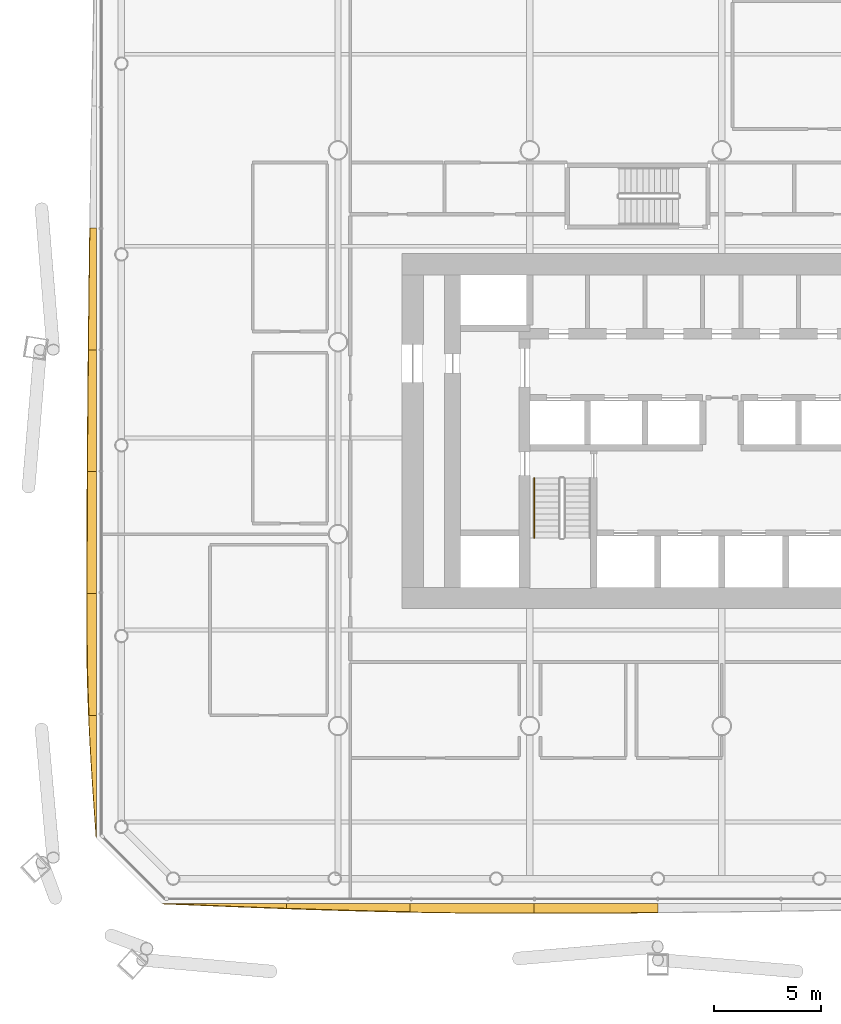
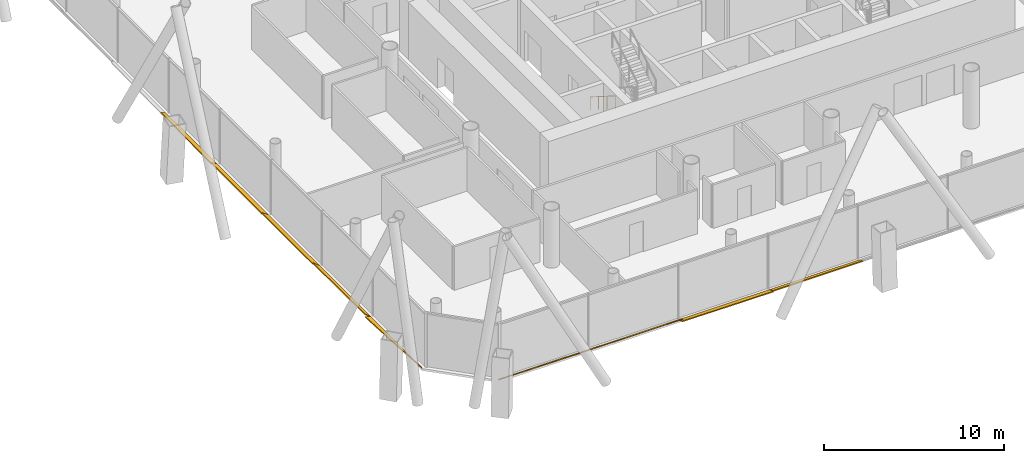
# One storey, part 17 of 21: 9 shading devices, 1 railing.
"""IFC4 building model written with IfcOpenShell, lengths in metres."""

from ifc_helpers import new_model, si_unit, direction, frame, origin, origin_2d, place, context, subcontext, project, spatial, polyline, circle, outline, extrude, material, layer, layer_set, type_object, element, save


model = new_model("IFC4")

# Units and contexts
model_context = context("Model", 3, precision=1e-05, world=origin(), true_north=direction((0.0, 1.0)))
body_context = subcontext(model_context, "Body", "Model", "MODEL_VIEW")
ifc_project = project(units=[si_unit("LENGTHUNIT", "METRE"), si_unit("AREAUNIT", "SQUARE_METRE"), si_unit("VOLUMEUNIT", "CUBIC_METRE"), si_unit("PLANEANGLEUNIT", "RADIAN"), si_unit("MASSUNIT", "GRAM", prefix="KILO")], contexts=[model_context])

# Site, building, storey
site_placement = place(None, origin())
site = spatial("IfcSite", under=ifc_project, at=site_placement, CompositionType="ELEMENT")
building_placement = place(site_placement, origin())
building = spatial("IfcBuilding", under=site, at=building_placement, Name="Tskaro Facet Tower", CompositionType="ELEMENT")
storey_placement = place(building_placement, frame((0.0, 0.0, 45.89990234375)))
storey = spatial("IfcBuildingStorey", under=building, at=storey_placement, Name="L10", CompositionType="ELEMENT", Elevation=45.89990234375)

# Shading devices
ifc_material_1 = material(Name="Bronze anodised aluminium 6063-T6", Category="aluminium")
ifc_layer = layer(ifc_material_1, 0.06005859375, Name="Bronze anodised aluminium 6063-T6")
ifc_layer_set = layer_set([ifc_layer], Name="Bronze anodised aluminium 6063-T6")
shading_device_type = type_object("IfcShadingDeviceType", Name="Bronze sun blade (FN1)", PredefinedType="USERDEFINED", material=ifc_layer_set)
shading_device_1_placement = place(storey_placement, frame((-26.22607421875, -26.322509765625, 0.04931640625), z_axis=(7.669711e-06, 0.573247791192, 0.819382065849), x_axis=(0.999999999971, -4.396645e-06, -6.284423e-06)))
element("IfcShadingDevice", 1, at=shading_device_1_placement, inside=storey, type_object=shading_device_type, Name="Fin blade south 1", ObjectType="FIN", PredefinedType="USERDEFINED", context=body_context, shape_type="SweptSolid", body=[
    extrude(outline(polyline([(0.0, 0.0), (5.806640624829214, -2.4592079611201513e-21), (5.8066406251883445, -0.27945091035688596), (5.080810546228766, -0.24734962923995746), (4.354980468651838, -0.21422835555192415), (3.629150389849878, -0.1800269979171356), (2.903320313503968, -0.14500569216091824), (2.1774902339378595, -0.1093842530556729), (1.4516601563669167, -0.07328286335270034), (0.7258300781834583, -0.03664143167635017), (0.0, 0.0)])), origin(), (0.0, 0.0, -1.0), 0.06005859375),
])
shading_device_2_placement = place(storey_placement, frame((-20.41943359375, -26.318359375, 0.046142578125), z_axis=(-9.822411e-06, 0.64260182954, 0.766200292727), x_axis=(0.999999999952, 6.311899e-06, 7.525934e-06)))
element("IfcShadingDevice", 2, at=shading_device_2_placement, inside=storey, type_object=shading_device_type, Name="Fin blade south 2", ObjectType="FIN", PredefinedType="USERDEFINED", context=body_context, shape_type="SweptSolid", body=[
    extrude(outline(polyline([(0.0, 0.0), (5.8063964840949005, 0.0), (5.806396484222611, -0.5117437340360114), (5.080566406426378, -0.49233189048944415), (4.3547363283927645, -0.4706693113406367), (3.6289062501217706, -0.4467559965895892), (2.903076171613397, -0.4205919462363015), (2.177490234085421, -0.3928650519420701), (1.4516601559914712, -0.3632313678762468), (0.725830077956537, -0.3316908940388317), (-1.263978424822046e-09, -0.2987746368788235), (0.0, 0.0)])), origin(), (0.0, 0.0, -1.0), 0.06005859375),
])
shading_device_3_placement = place(storey_placement, frame((-14.613037109375, -26.33642578125, 0.056396484375), z_axis=(8.8361e-06, 0.342042560629, 0.939684461211), x_axis=(0.999999999961, -3.022322e-06, -8.303146e-06)))
element("IfcShadingDevice", 3, at=shading_device_3_placement, inside=storey, type_object=shading_device_type, Name="Fin blade south 3", ObjectType="FIN", PredefinedType="USERDEFINED", context=body_context, shape_type="SweptSolid", body=[
    extrude(outline(polyline([(0.0, 0.0), (5.806640624773318, 0.0), (5.806640624811849, -0.4718157017112548), (5.2026367193233005, -0.4720451168629265), (5.080810547453057, -0.4720451168629265), (4.354980468983432, -0.4705016129838329), (3.6291503906922404, -0.4668722684377707), (2.903320312579481, -0.46115708322473975), (2.177490234645154, -0.45335605734474016), (1.4516601561513884, -0.4432397756461002), (0.7258300765467912, -0.43135057491669493), (-8.522380822200354e-10, -0.4172920270357894), (0.0, 0.0)])), origin(), (0.0, 0.0, -1.0), 0.06005859375),
])
shading_device_4_placement = place(storey_placement, frame((-8.806396484375, -26.33154296875, 0.054443359375), z_axis=(-3.32148e-07, 0.42262214031, 0.90630597842), x_axis=(1.0, 1.40373e-07, 3.01028e-07)))
element("IfcShadingDevice", 4, at=shading_device_4_placement, inside=storey, type_object=shading_device_type, Name="Fin blade south 4", ObjectType="FIN", PredefinedType="USERDEFINED", context=body_context, shape_type="SweptSolid", body=[
    extrude(outline(polyline([(0.0, 0.0), (5.80639648437468, 0.0), (5.806396484389824, -0.46146905057156085), (5.080566406245838, -0.4673686972825813), (4.354736328096901, -0.47272263254410213), (3.6289062500115525, -0.47708832414009816), (2.9030761718869824, -0.4811295703946074), (2.1772460937525095, -0.48407939375011755), (1.4514160156130846, -0.48648350565612825), (0.7258300781279793, -0.4881206400046268), (1.2922398099115722e-11, -0.4892120629036258), (0.0, 0.0)])), origin(), (0.0, 0.0, -1.0), 0.06005859375),
])
shading_device_5_placement = place(storey_placement, frame((-29.33154296875, 5.3583984375, 0.054443359375), z_axis=(0.422599357829, -1.412971e-05, 0.906316601725), x_axis=(-5.971206e-06, -0.9999999999, -1.2805991e-05)))
element("IfcShadingDevice", 5, at=shading_device_5_placement, inside=storey, type_object=shading_device_type, Name="Fin blade west 4", ObjectType="FIN", PredefinedType="USERDEFINED", context=body_context, shape_type="SweptSolid", body=[
    extrude(outline(polyline([(0.0, 0.0), (5.716796874429325, 4.842315305885424e-21), (5.716796876138675, -0.4110125189983541), (5.002197263955436, -0.4024874891476948), (4.287597656567309, -0.39353484325270965), (3.572998047721366, -0.3843609286561094), (2.858398435959796, -0.37474447665627886), (2.143798828993337, -0.3647004086121224), (1.4291992174426011, -0.35453824553770624), (0.7145996092291623, -0.34372719771734905), (-4.420904557670749e-10, -0.33269488119537677), (0.0, 0.0)])), origin(), (0.0, 0.0, -1.0), 0.06005859375),
])
shading_device_6_placement = place(storey_placement, frame((-29.326904296875, -0.3583984375, 0.052001953125), z_axis=(0.500030590645, -3.569039e-06, 0.86600774154), x_axis=(-1.784629e-06, -0.999999999994, -3.090816e-06)))
element("IfcShadingDevice", 6, at=shading_device_6_placement, inside=storey, type_object=shading_device_type, Name="Fin blade west 5", ObjectType="FIN", PredefinedType="USERDEFINED", context=body_context, shape_type="SweptSolid", body=[
    extrude(outline(polyline([(0.0, 0.0), (5.717041015588588, 0.0), (5.717041015798567, -0.4854237641711281), (5.002441406450341, -0.480063782826771), (4.287841796985307, -0.4741588683589426), (3.5732421870845745, -0.46804252621983855), (2.858642577821628, -0.4612591731763433), (2.1440429688775744, -0.45414231468065236), (1.4291992184371216, -0.4466026008424101), (0.7145996096951539, -0.4386073037710523), (8.178556776766814e-11, -0.43018915135714314), (0.0, 0.0)])), origin(), (0.0, 0.0, -1.0), 0.06005859375),
])
shading_device_7_placement = place(storey_placement, frame((-29.322509765625, -6.075439453125, 0.04931640625), z_axis=(0.573396543085, 3.9406e-08, 0.819277977477), x_axis=(2.2595e-08, -1.0, 3.2285e-08)))
element("IfcShadingDevice", 7, at=shading_device_7_placement, inside=storey, type_object=shading_device_type, Name="Fin blade west 6", ObjectType="FIN", PredefinedType="USERDEFINED", context=body_context, shape_type="SweptSolid", body=[
    extrude(outline(polyline([(0.0, 0.0), (5.716796874999996, 1.8915294163614938e-23), (5.716796874998552, -0.5399410429246594), (5.0021972656251235, -0.5381809711382337), (4.287597656251695, -0.536420899351808), (3.5729980468711693, -0.5336408022817679), (2.858398437501677, -0.530460667136788), (2.143798828129819, -0.5269405235639365), (1.4291992187477132, -0.522940382172812), (0.7145996093742751, -0.5182001942788763), (-1.5285789329282997e-12, -0.5131199979570691), (0.0, 0.0)])), origin(), (0.0, 0.0, -1.0), 0.06005859375),
])
shading_device_8_placement = place(storey_placement, frame((-29.318359375, -11.792236328125, 0.046142578125), z_axis=(0.642651716851, -3.311e-07, 0.76615845021), x_axis=(-2.12782e-07, -1.0, -2.53675e-07)))
element("IfcShadingDevice", 8, at=shading_device_8_placement, inside=storey, type_object=shading_device_type, Name="Fin blade west 7", ObjectType="FIN", PredefinedType="USERDEFINED", context=body_context, shape_type="SweptSolid", body=[
    extrude(outline(polyline([(0.0, 0.0), (5.7167968749996865, 0.0), (5.716796874995588, -0.4626982082103752), (5.002197265629254, -0.49995904974504046), (4.287597656234831, -0.5302806293637042), (3.572998046874252, -0.5535060496745573), (2.858398437495567, -0.5694482602747162), (2.1437988281087605, -0.5777633133694884), (1.738037109380781, -0.5789822071564497), (1.4291992187557978, -0.5789822071564497), (0.714599609400804, -0.5782943115670645), (-6.13806994748233e-12, -0.5774193655747957), (0.0, 0.0)])), origin(), (0.0, 0.0, -1.0), 0.06005859375),
])
shading_device_9_placement = place(storey_placement, frame((-29.33642578125, -17.509033203125, 0.056396484375), z_axis=(0.342303660163, 2.30856e-07, 0.939589380655), x_axis=(7.9023e-08, -1.0, 2.16909e-07)))
element("IfcShadingDevice", 9, at=shading_device_9_placement, inside=storey, type_object=shading_device_type, Name="Fin blade west 8", ObjectType="FIN", PredefinedType="USERDEFINED", context=body_context, shape_type="SweptSolid", body=[
    extrude(outline(polyline([(0.0, 0.0), (5.717041015624847, 0.0), (5.002441406276053, -0.054607214787605066), (4.287841796879223, -0.10835911330023694), (3.5732421874729443, -0.16079691166062288), (2.858642578134386, -0.2110030421142174), (2.143798828118265, -0.2582680100951516), (1.4291992187661229, -0.3022166019556849), (0.7145996093519684, -0.34190993119131186), (1.007051507752633e-12, -0.37728574632246037), (0.0, 0.0)])), origin(), (0.0, 0.0, -1.0), 0.06005859375),
])

# Railing
ifc_material_2 = material(Name="Stainless steel", Category="steel")
railing_type = type_object("IfcRailingType", Name="RL-HANDRAIL-900", PredefinedType="HANDRAIL", material=ifc_material_2)
railing_placement = place(storey_placement, frame((-8.800048828125, -6.375, 0.177490234375)))
element("IfcRailing", 10, at=railing_placement, inside=storey, type_object=railing_type, Name="L10 ST-1 stair handrail 1", PredefinedType="HANDRAIL", context=body_context, shape_type="SweptSolid", body=[
    extrude(circle(Radius=0.02392578125, at=origin_2d()), frame((0.0, 0.0, 0.8759765625), z_axis=(0.0, -0.844908973607, 0.534910110503), x_axis=(1.0, 0.0, 0.0)), (0.0, 0.0, 1.0), 3.31396484375),
    extrude(circle(Radius=0.02099609375, at=origin_2d()), origin(), (0.0, 0.0, 1.0), 0.851806640625),
    extrude(circle(Radius=0.02099609375, at=origin_2d()), frame((0.0, -0.933349609375, 0.5908203125)), (0.0, 0.0, 1.0), 0.851806640625),
    extrude(circle(Radius=0.02099609375, at=origin_2d()), frame((0.0, -1.86669921875, 1.181884765625)), (0.0, 0.0, 1.0), 0.851806640625),
    extrude(circle(Radius=0.02099609375, at=origin_2d()), frame((0.0, -2.800048828125, 1.772705078125)), (0.0, 0.0, 1.0), 0.851806640625),
])

save(model, "model.ifc")
